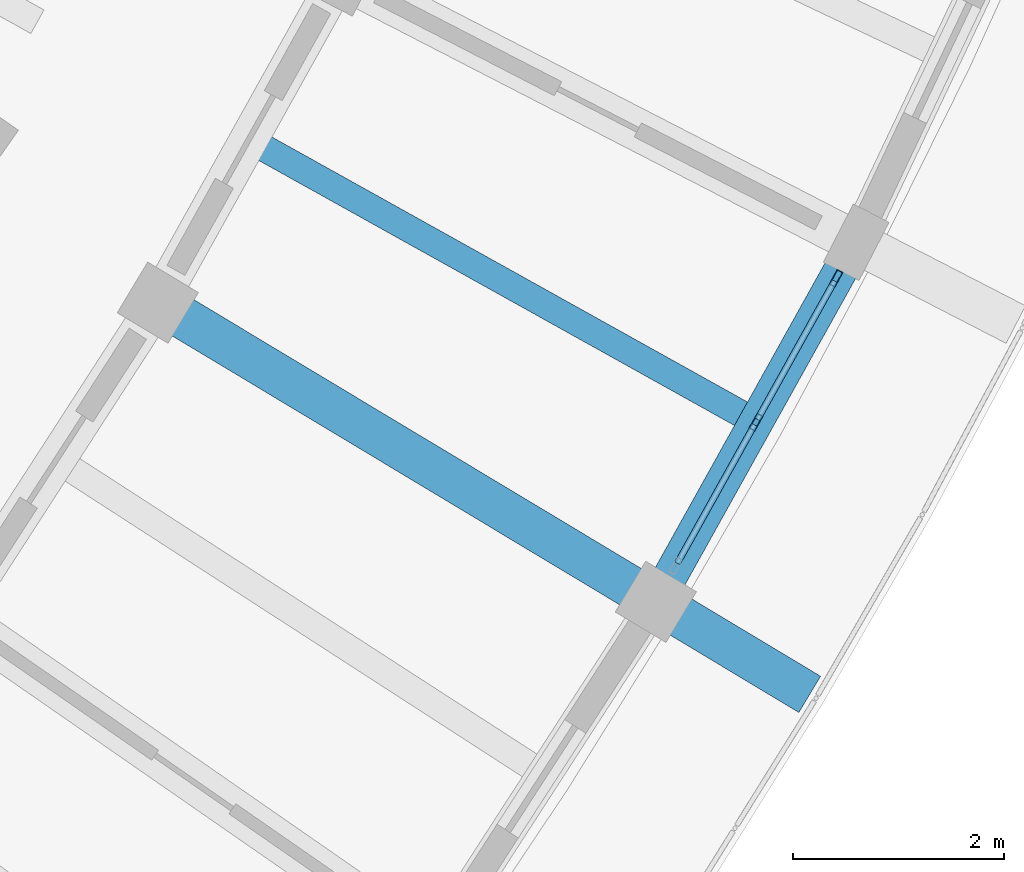
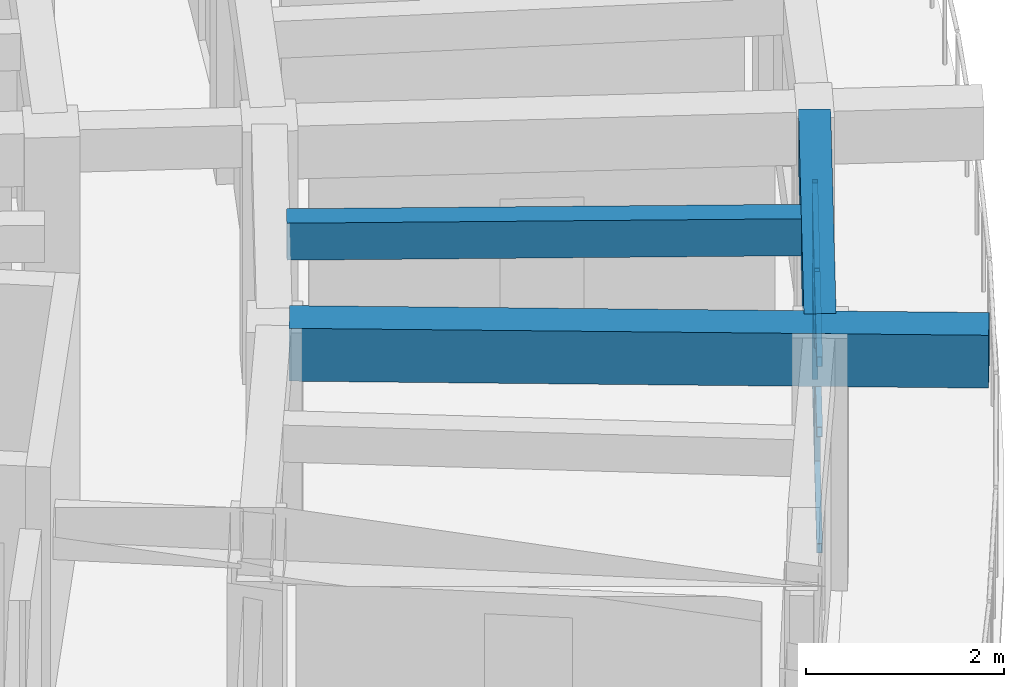
# One storey, part 31 of 96: 8 members, 3 beams, 1 element without a shape of its own.
"""IFC4 building model written with IfcOpenShell, lengths in metres."""

from ifc_helpers import new_model, si_unit, direction, frame, origin, origin_2d, place, context, subcontext, project, spatial, rectangle, hollow_rectangle, extrude, material, material_profile, profile_set, type_object, element, aggregate, save


model = new_model("IFC4")

# Units and contexts
model_context = context("Model", 3, precision=1e-05, world=origin(), true_north=direction((0.0, 1.0)))
body_context = subcontext(model_context, "Body", "Model", "MODEL_VIEW")
ifc_project = project(units=[si_unit("LENGTHUNIT", "METRE"), si_unit("AREAUNIT", "SQUARE_METRE"), si_unit("VOLUMEUNIT", "CUBIC_METRE"), si_unit("PLANEANGLEUNIT", "RADIAN"), si_unit("MASSUNIT", "GRAM", prefix="KILO")], contexts=[model_context])

# Site, building, storey
site_placement = place(None, origin())
site = spatial("IfcSite", under=ifc_project, at=site_placement, CompositionType="ELEMENT")
building_placement = place(site_placement, origin())
building = spatial("IfcBuilding", under=site, at=building_placement, Name="Tanwirah Colonnade Gardens", CompositionType="ELEMENT")
storey_placement = place(building_placement, frame((0.0, 0.0, 12.199951171875)))
storey = spatial("IfcBuildingStorey", under=building, at=storey_placement, Name="L03", CompositionType="ELEMENT", Elevation=12.199951171875)

# Beam
ifc_material_1 = material(Name="Precast concrete C45/55", Category="concrete")
ifc_material_profile_1 = material_profile(ifc_material_1, rectangle(XDim=0.39990234375, YDim=0.64990234375, at=origin_2d()), Name="PC-BM 400x650")
ifc_profile_set_1 = profile_set([ifc_material_profile_1], Name="Precast concrete C45/55")
beam_type_1 = type_object("IfcBeamType", Name="BM-PC400", PredefinedType="BEAM", material=ifc_profile_set_1)
beam_1_placement = place(storey_placement, frame((167.45849609375, 36.5849609375, 2.780029296875), z_axis=(0.857159687729, -0.515050744812, 0.0), x_axis=(0.515050744812, 0.857159687729, 0.0)))
element("IfcBeam", 1, at=beam_1_placement, inside=storey, type_object=beam_type_1, Name="Block D L03 Outer Radial Precast Girder 12", PredefinedType="BEAM", context=body_context, shape_type="SweptSolid", body=[
    extrude(rectangle(XDim=0.39990234375, YDim=0.64990234375, at=origin_2d()), origin(), (0.0, 0.0, 1.0), 7.050048828125),
])

# Curtain wall, members
ifc_material_2 = material(Name="Bronze-anodised aluminium and solar-control low-E glass", Category="aluminium")
curtain_wall_type = type_object("IfcCurtainWallType", Name="CW-LOB", PredefinedType="NOTDEFINED", material=ifc_material_2)
curtain_wall_placement = place(storey_placement, origin())
curtain_wall = element("IfcCurtainWall", 2, at=curtain_wall_placement, inside=storey, type_object=curtain_wall_type, Name="Curtain Wall CW-D-L03-OUT-12", PredefinedType="NOTDEFINED")
ifc_material_3 = material(Name="Bronze-anodised aluminium", Category="aluminium")
ifc_material_profile_2 = material_profile(ifc_material_3, hollow_rectangle(XDim=0.06005859375, YDim=0.159912109375, WallThickness=0.00390625, at=origin_2d()), Name="CW-MUL 60x160x4")
ifc_profile_set_2 = profile_set([ifc_material_profile_2], Name="Bronze-anodised aluminium")
member_type_1 = type_object("IfcMemberType", Name="CWM-60x160", PredefinedType="MULLION", material=ifc_profile_set_2)
member_1_placement = place(storey_placement, frame((172.99267578125, 35.531494140625, 0.0), z_axis=(0.0, 0.0, 1.0), x_axis=(-0.873560768318, 0.486715095364, 0.0)))
member_1 = element("IfcMember", 3, at=member_1_placement, type_object=member_type_1, Name="CW-LOB mullion 2", PredefinedType="MULLION", context=body_context, shape_type="SweptSolid", body=[
    extrude(hollow_rectangle(XDim=0.06005859375, YDim=0.159912109375, WallThickness=0.00390625, at=origin_2d()), origin(), (0.0, 0.0, 1.0), 2.35498046875),
])
member_2_placement = place(storey_placement, frame((173.751220703125, 36.892822265625, 0.0), z_axis=(0.0, 0.0, 1.0), x_axis=(-0.873560768318, 0.486715095364, 0.0)))
member_2 = element("IfcMember", 4, at=member_2_placement, type_object=member_type_1, Name="CW-LOB mullion 3", PredefinedType="MULLION", context=body_context, shape_type="SweptSolid", body=[
    extrude(hollow_rectangle(XDim=0.06005859375, YDim=0.159912109375, WallThickness=0.00390625, at=origin_2d()), origin(), (0.0, 0.0, 1.0), 2.35498046875),
])
ifc_material_profile_3 = material_profile(ifc_material_3, hollow_rectangle(XDim=0.06005859375, YDim=0.1201171875, WallThickness=0.00390625, at=origin_2d()), Name="CW-TRN 60x120x4")
ifc_profile_set_3 = profile_set([ifc_material_profile_3], Name="Bronze-anodised aluminium")
member_type_2 = type_object("IfcMemberType", Name="CWT-60x120", PredefinedType="USERDEFINED", material=ifc_profile_set_3)
member_3_placement = place(storey_placement, frame((172.248779296875, 34.1962890625, 0.030029296875), z_axis=(0.486652425295, 0.87359568277, 0.0), x_axis=(-0.87359568277, 0.486652425295, 0.0)))
member_3 = element("IfcMember", 5, at=member_3_placement, type_object=member_type_2, Name="CW-LOB transom 1.1", ObjectType="TRANSOM", PredefinedType="USERDEFINED", context=body_context, shape_type="SweptSolid", body=[
    extrude(hollow_rectangle(XDim=0.06005859375, YDim=0.1201171875, WallThickness=0.00390625, at=origin_2d()), origin(), (0.0, 0.0, 1.0), 1.49853515625),
])
member_4_placement = place(storey_placement, frame((172.248779296875, 34.1962890625, 1.460205078125), z_axis=(0.486652425295, 0.87359568277, 0.0), x_axis=(-0.87359568277, 0.486652425295, 0.0)))
member_4 = element("IfcMember", 6, at=member_4_placement, type_object=member_type_2, Name="CW-LOB transom 1.2", ObjectType="TRANSOM", PredefinedType="USERDEFINED", context=body_context, shape_type="SweptSolid", body=[
    extrude(hollow_rectangle(XDim=0.06005859375, YDim=0.1201171875, WallThickness=0.00390625, at=origin_2d()), origin(), (0.0, 0.0, 1.0), 1.49853515625),
])
member_5_placement = place(storey_placement, frame((172.248779296875, 34.1962890625, 2.324951171875), z_axis=(0.486652425295, 0.87359568277, 0.0), x_axis=(-0.87359568277, 0.486652425295, 0.0)))
member_5 = element("IfcMember", 7, at=member_5_placement, type_object=member_type_2, Name="CW-LOB transom 1.3", ObjectType="TRANSOM", PredefinedType="USERDEFINED", context=body_context, shape_type="SweptSolid", body=[
    extrude(hollow_rectangle(XDim=0.06005859375, YDim=0.1201171875, WallThickness=0.00390625, at=origin_2d()), origin(), (0.0, 0.0, 1.0), 1.49853515625),
])
member_6_placement = place(storey_placement, frame((173.00732421875, 35.557861328125, 0.030029296875), z_axis=(0.486721698498, 0.873557089269, 0.0), x_axis=(-0.873557089269, 0.486721698498, 0.0)))
member_6 = element("IfcMember", 8, at=member_6_placement, type_object=member_type_2, Name="CW-LOB transom 2.1", ObjectType="TRANSOM", PredefinedType="USERDEFINED", context=body_context, shape_type="SweptSolid", body=[
    extrude(hollow_rectangle(XDim=0.06005859375, YDim=0.1201171875, WallThickness=0.00390625, at=origin_2d()), origin(), (0.0, 0.0, 1.0), 1.498291015625),
])
member_7_placement = place(storey_placement, frame((173.00732421875, 35.557861328125, 1.460205078125), z_axis=(0.486721698498, 0.873557089269, 0.0), x_axis=(-0.873557089269, 0.486721698498, 0.0)))
member_7 = element("IfcMember", 9, at=member_7_placement, type_object=member_type_2, Name="CW-LOB transom 2.2", ObjectType="TRANSOM", PredefinedType="USERDEFINED", context=body_context, shape_type="SweptSolid", body=[
    extrude(hollow_rectangle(XDim=0.06005859375, YDim=0.1201171875, WallThickness=0.00390625, at=origin_2d()), origin(), (0.0, 0.0, 1.0), 1.498291015625),
])
member_8_placement = place(storey_placement, frame((173.00732421875, 35.557861328125, 2.324951171875), z_axis=(0.486721698498, 0.873557089269, 0.0), x_axis=(-0.873557089269, 0.486721698498, 0.0)))
member_8 = element("IfcMember", 10, at=member_8_placement, type_object=member_type_2, Name="CW-LOB transom 2.3", ObjectType="TRANSOM", PredefinedType="USERDEFINED", context=body_context, shape_type="SweptSolid", body=[
    extrude(hollow_rectangle(XDim=0.06005859375, YDim=0.1201171875, WallThickness=0.00390625, at=origin_2d()), origin(), (0.0, 0.0, 1.0), 1.498291015625),
])
aggregate(curtain_wall, [member_1, member_2, member_3, member_4, member_5, member_6, member_7, member_8])

# Beams
ifc_material_4 = material(Name="Precast concrete C40/50", Category="concrete")
ifc_material_profile_4 = material_profile(ifc_material_4, rectangle(XDim=0.2548828125, YDim=0.455078125, at=origin_2d()), Name="PC-JST 255x455")
ifc_profile_set_4 = profile_set([ifc_material_profile_4], Name="Precast concrete C40/50")
beam_type_2 = type_object("IfcBeamType", Name="JST-PC240", PredefinedType="JOIST", material=ifc_profile_set_4)
beam_2_placement = place(storey_placement, frame((168.32080078125, 38.134521484375, 2.87744140625), z_axis=(0.87356769437, -0.486702664214, 0.0), x_axis=(0.486702664214, 0.87356769437, 0.0)))
element("IfcBeam", 11, at=beam_2_placement, inside=storey, type_object=beam_type_2, Name="Block D L03 Precast Floor Joist 12", PredefinedType="JOIST", context=body_context, shape_type="SweptSolid", body=[
    extrude(rectangle(XDim=0.2548828125, YDim=0.455078125, at=origin_2d()), origin(), (0.0, 0.0, 1.0), 5.260009765625),
])
ifc_material_profile_5 = material_profile(ifc_material_4, rectangle(XDim=0.324951171875, YDim=0.68505859375, at=origin_2d()), Name="PC-SP 325x685")
ifc_profile_set_5 = profile_set([ifc_material_profile_5], Name="Precast concrete C40/50")
beam_type_3 = type_object("IfcBeamType", Name="SP-PC260", PredefinedType="SPANDREL", material=ifc_profile_set_5)
beam_3_placement = place(storey_placement, frame((172.117431640625, 33.96044921875, 2.762451171875), z_axis=(0.486679958674, 0.87358034423, 0.0), x_axis=(-0.87358034423, 0.486679958674, 0.0)))
element("IfcBeam", 12, at=beam_3_placement, inside=storey, type_object=beam_type_3, Name="Block D L03 Circumferential Beam 12-R3", PredefinedType="SPANDREL", context=body_context, shape_type="SweptSolid", body=[
    extrude(rectangle(XDim=0.324951171875, YDim=0.68505859375, at=origin_2d()), origin(), (0.0, 0.0, 1.0), 3.5966796875),
])

save(model, "model.ifc")
